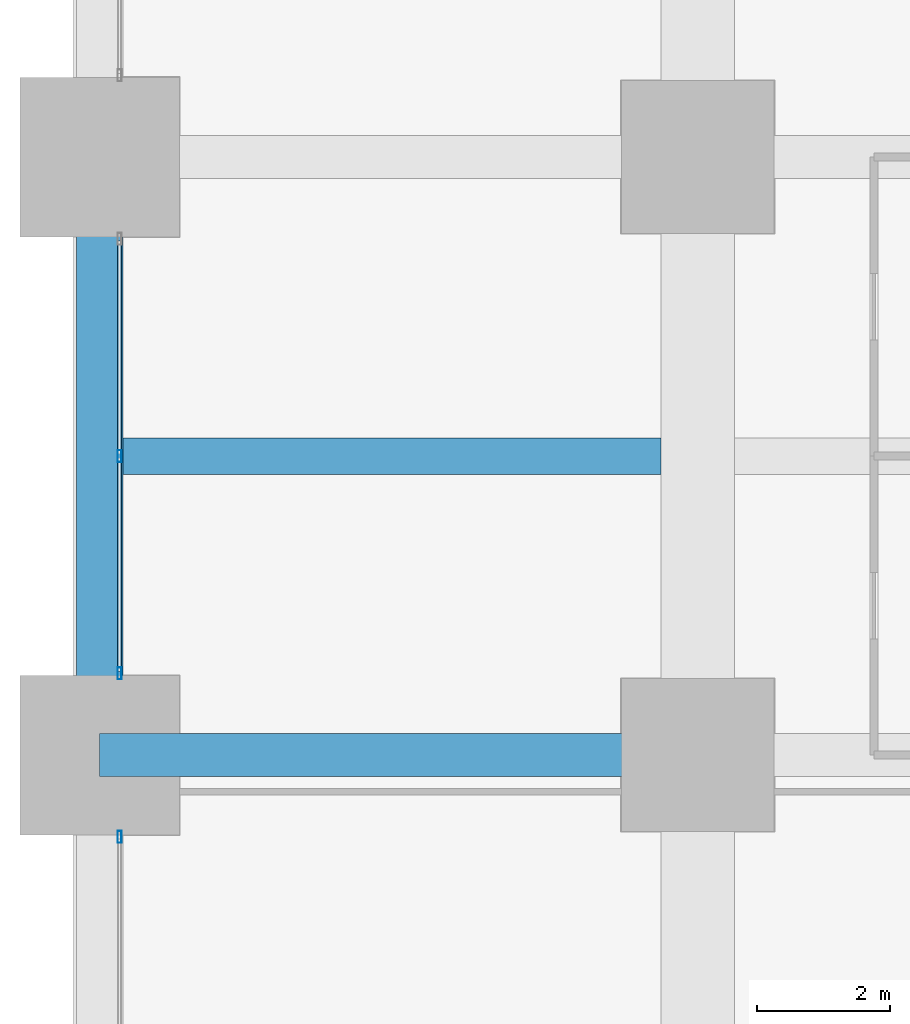
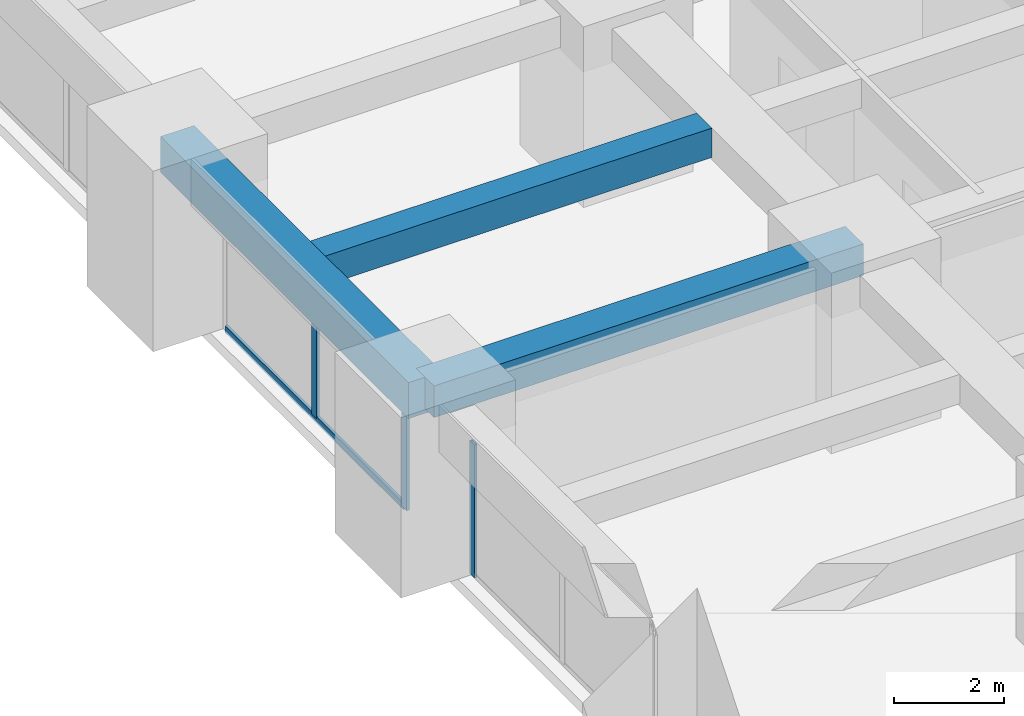
# One storey, part 9 of 45: 4 members, 3 beams, 2 elements without a shape of their own.
"""IFC4 building model written with IfcOpenShell, lengths in metres."""

from ifc_helpers import new_model, si_unit, direction, frame, origin, origin_2d, place, context, subcontext, project, spatial, rectangle, hollow_rectangle, extrude, material, material_profile, profile_set, type_object, element, aggregate, save


model = new_model("IFC4")

# Units and contexts
model_context = context("Model", 3, precision=1e-05, world=origin(), true_north=direction((0.0, 1.0)))
body_context = subcontext(model_context, "Body", "Model", "MODEL_VIEW")
ifc_project = project(units=[si_unit("LENGTHUNIT", "METRE"), si_unit("AREAUNIT", "SQUARE_METRE"), si_unit("VOLUMEUNIT", "CUBIC_METRE"), si_unit("PLANEANGLEUNIT", "RADIAN"), si_unit("MASSUNIT", "GRAM", prefix="KILO")], contexts=[model_context])

# Site, building, storey
site_placement = place(None, origin())
site = spatial("IfcSite", under=ifc_project, at=site_placement, CompositionType="ELEMENT")
building_placement = place(site_placement, origin())
building = spatial("IfcBuilding", under=site, at=building_placement, Name="Zorevar Civic Tower", CompositionType="ELEMENT")
storey_placement = place(building_placement, frame((0.0, 0.0, 23.800048828125)))
storey = spatial("IfcBuildingStorey", under=building, at=storey_placement, Name="L05", CompositionType="ELEMENT", Elevation=23.800048828125)

# Beams
ifc_material_1 = material(Name="Concrete C50/60", Category="concrete")
ifc_material_profile_1 = material_profile(ifc_material_1, rectangle(XDim=0.550048828125, YDim=0.64990234375, at=origin_2d()), Name="RC 550x650")
ifc_profile_set_1 = profile_set([ifc_material_profile_1], Name="Concrete C50/60")
beam_type_1 = type_object("IfcBeamType", Name="Beam RC 550x650", PredefinedType="BEAM", material=ifc_profile_set_1)
beam_1_placement = place(storey_placement, frame((0.35009765625, 22.5, 3.425048828125), z_axis=(1.0, 0.0, 0.0), x_axis=(0.0, 1.0, 0.0)))
element("IfcBeam", 1, at=beam_1_placement, inside=storey, type_object=beam_type_1, Name="Secondary beam L06", PredefinedType="BEAM", context=body_context, shape_type="SweptSolid", body=[
    extrude(rectangle(XDim=0.550048828125, YDim=0.64990234375, at=origin_2d()), origin(), (0.0, 0.0, 1.0), 8.099853515625),
])
ifc_material_2 = material(Name="Concrete C50/60", Category="concrete")
ifc_material_profile_2 = material_profile(ifc_material_2, rectangle(XDim=0.64990234375, YDim=0.699951171875, at=origin_2d()), Name="RC 650x700")
ifc_profile_set_2 = profile_set([ifc_material_profile_2], Name="Concrete C50/60")
beam_type_2 = type_object("IfcBeamType", Name="Beam RC 650x700", PredefinedType="BEAM", material=ifc_profile_set_2)
beam_2_placement = place(storey_placement, frame((0.0, 18.0, 3.39990234375), z_axis=(1.0, 0.0, 0.0), x_axis=(0.0, 1.0, 0.0)))
element("IfcBeam", 2, at=beam_2_placement, inside=storey, type_object=beam_type_2, Name="Girder L06", PredefinedType="BEAM", context=body_context, shape_type="SweptSolid", body=[
    extrude(rectangle(XDim=0.64990234375, YDim=0.699951171875, at=origin_2d()), origin(), (0.0, 0.0, 1.0), 9.0),
])

# Curtain wall, member
ifc_material_3 = material(Name="Dark grey solar-control glass in black aluminium frame", Category="aluminium")
curtain_wall_type = type_object("IfcCurtainWallType", Name="Curtain wall CW2 low zone", PredefinedType="NOTDEFINED", material=ifc_material_3)
curtain_wall_1_placement = place(storey_placement, origin())
curtain_wall_1 = element("IfcCurtainWall", 3, at=curtain_wall_1_placement, inside=storey, type_object=curtain_wall_type, Name="CW2 L05", PredefinedType="NOTDEFINED")
ifc_material_4 = material(Name="Aluminium, black anodised", Category="aluminium")
ifc_material_profile_3 = material_profile(ifc_material_4, hollow_rectangle(XDim=0.06005859375, YDim=0.179931640625, WallThickness=0.00390625, at=origin_2d()), Name="AL 180x60x4")
ifc_profile_set_3 = profile_set([ifc_material_profile_3], Name="Aluminium, black anodised")
member_type_1 = type_object("IfcMemberType", Name="CW2 mullion AL 180x60x4", PredefinedType="MULLION", material=ifc_profile_set_3)
member_1_placement = place(storey_placement, frame((0.300048828125, 16.77001953125, 0.0), z_axis=(0.0, 0.0, 1.0), x_axis=(-1.0, 0.0, 0.0)))
member_1 = element("IfcMember", 4, at=member_1_placement, type_object=member_type_1, Name="CW2 mullion 3", PredefinedType="MULLION", context=body_context, shape_type="SweptSolid", body=[
    extrude(hollow_rectangle(XDim=0.06005859375, YDim=0.179931640625, WallThickness=0.00390625, at=origin_2d()), origin(), (0.0, 0.0, 1.0), 2.949951171875),
])
aggregate(curtain_wall_1, [member_1])

# Curtain wall, members
curtain_wall_2_placement = place(storey_placement, origin())
curtain_wall_2 = element("IfcCurtainWall", 5, at=curtain_wall_2_placement, inside=storey, type_object=curtain_wall_type, Name="CW2 L05", PredefinedType="NOTDEFINED")
member_2_placement = place(storey_placement, frame((0.300048828125, 19.22998046875, 0.0), z_axis=(0.0, 0.0, 1.0), x_axis=(-1.0, 0.0, 0.0)))
member_2 = element("IfcMember", 6, at=member_2_placement, type_object=member_type_1, Name="CW2 mullion 1", PredefinedType="MULLION", context=body_context, shape_type="SweptSolid", body=[
    extrude(hollow_rectangle(XDim=0.06005859375, YDim=0.179931640625, WallThickness=0.00390625, at=origin_2d()), origin(), (0.0, 0.0, 1.0), 2.949951171875),
])
member_3_placement = place(storey_placement, frame((0.300048828125, 22.5, 0.06005859375), z_axis=(0.0, 0.0, 1.0), x_axis=(-1.0, 0.0, 0.0)))
member_3 = element("IfcMember", 7, at=member_3_placement, type_object=member_type_1, Name="CW2 mullion 2", PredefinedType="MULLION", context=body_context, shape_type="SweptSolid", body=[
    extrude(hollow_rectangle(XDim=0.06005859375, YDim=0.179931640625, WallThickness=0.00390625, at=origin_2d()), origin(), (0.0, 0.0, 1.0), 2.889892578125),
])
ifc_material_5 = material(Name="Aluminium, black anodised", Category="aluminium")
ifc_material_profile_4 = material_profile(ifc_material_5, hollow_rectangle(XDim=0.06005859375, YDim=0.14990234375, WallThickness=0.00390625, at=origin_2d()), Name="AL 150x60x4")
ifc_profile_set_4 = profile_set([ifc_material_profile_4], Name="Aluminium, black anodised")
member_type_2 = type_object("IfcMemberType", Name="CW2 transom AL 150x60x4", PredefinedType="USERDEFINED", material=ifc_profile_set_4)
member_4_placement = place(storey_placement, frame((0.300048828125, 19.260009765625, 0.030029296875), z_axis=(0.0, 1.0, 0.0), x_axis=(-1.0, 0.0, 0.0)))
member_4 = element("IfcMember", 8, at=member_4_placement, type_object=member_type_2, Name="CW2 sill transom", ObjectType="TRANSOM", PredefinedType="USERDEFINED", context=body_context, shape_type="SweptSolid", body=[
    extrude(hollow_rectangle(XDim=0.06005859375, YDim=0.14990234375, WallThickness=0.00390625, at=origin_2d()), origin(), (0.0, 0.0, 1.0), 6.47998046875),
])
aggregate(curtain_wall_2, [member_2, member_3, member_4])

# Beam
ifc_material_6 = material(Name="Concrete C50/60", Category="concrete")
ifc_material_profile_5 = material_profile(ifc_material_6, rectangle(XDim=0.699951171875, YDim=0.800048828125, at=origin_2d()), Name="RC 700x800")
ifc_profile_set_5 = profile_set([ifc_material_profile_5], Name="Concrete C50/60")
beam_type_3 = type_object("IfcBeamType", Name="Edge beam RC 700x800", PredefinedType="SPANDREL", material=ifc_profile_set_5)
beam_3_placement = place(storey_placement, frame((0.0, 18.0, 3.349853515625), z_axis=(0.0, 1.0, 0.0), x_axis=(-1.0, 0.0, 0.0)))
element("IfcBeam", 9, at=beam_3_placement, inside=storey, type_object=beam_type_3, Name="Edge beam L06", PredefinedType="SPANDREL", context=body_context, shape_type="SweptSolid", body=[
    extrude(rectangle(XDim=0.699951171875, YDim=0.800048828125, at=origin_2d()), origin(), (0.0, 0.0, 1.0), 9.0),
])

save(model, "model.ifc")
